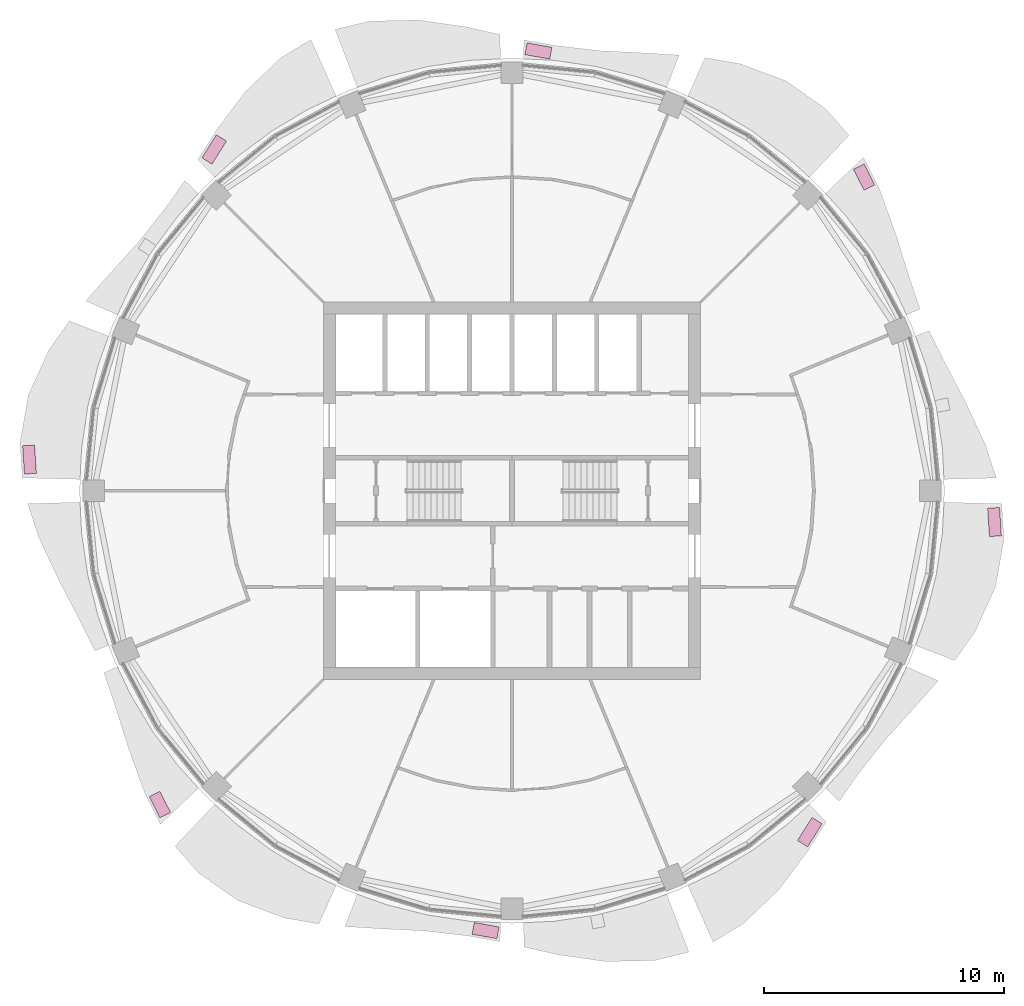
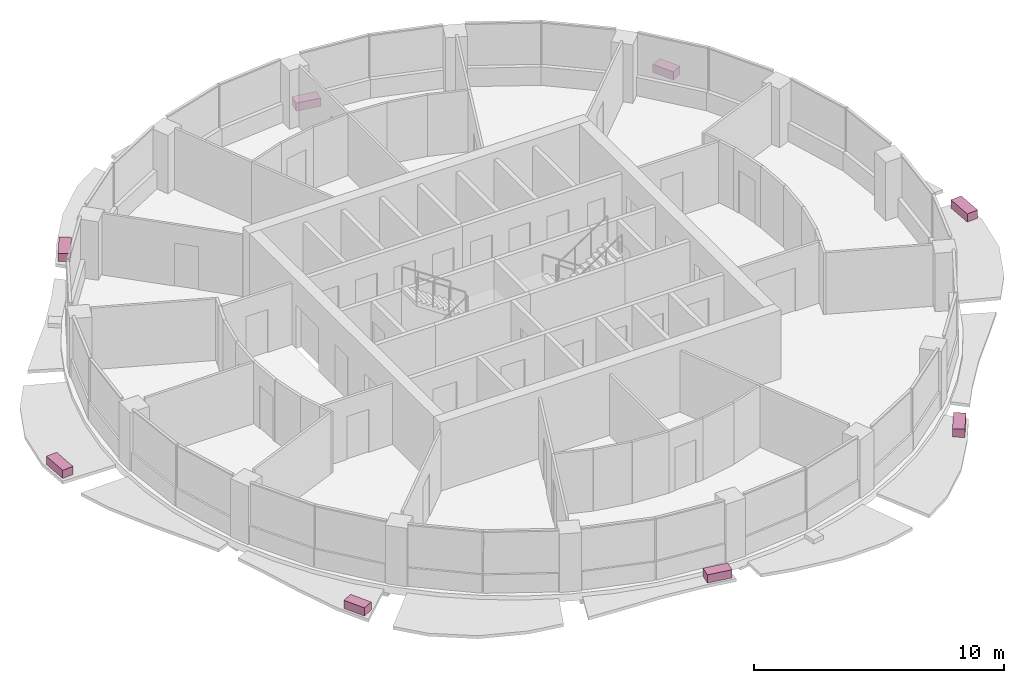
# One storey, part 15 of 15: 8 furniture elements.
"""IFC4 building model written with IfcOpenShell, lengths in metres."""

from ifc_helpers import new_model, si_unit, direction, frame, origin, origin_2d, place, context, subcontext, project, spatial, rectangle, extrude, material, type_object, element, save


model = new_model("IFC4")

# Units and contexts
model_context = context("Model", 3, precision=1e-05, world=origin(), true_north=direction((0.0, 1.0)))
body_context = subcontext(model_context, "Body", "Model", "MODEL_VIEW")
ifc_project = project(units=[si_unit("LENGTHUNIT", "METRE"), si_unit("AREAUNIT", "SQUARE_METRE"), si_unit("VOLUMEUNIT", "CUBIC_METRE"), si_unit("PLANEANGLEUNIT", "RADIAN"), si_unit("MASSUNIT", "GRAM", prefix="KILO")], contexts=[model_context])

# Site, building, storey
site_placement = place(None, origin())
site = spatial("IfcSite", under=ifc_project, at=site_placement, CompositionType="ELEMENT")
building_placement = place(site_placement, origin())
building = spatial("IfcBuilding", under=site, at=building_placement, Name="Polderwave Tower", CompositionType="ELEMENT")
storey_placement = place(building_placement, frame((0.0, 0.0, 191.0)))
storey = spatial("IfcBuildingStorey", under=building, at=storey_placement, Name="L51", CompositionType="ELEMENT", Elevation=191.0)

# Furniture
ifc_material = material(Name="Terracotta", Category="masonry")
furniture_type = type_object("IfcFurnitureType", Name="Terracotta planting trough", AssemblyPlace="NOTDEFINED", PredefinedType="USERDEFINED", material=ifc_material)
furniture_1_placement = place(storey_placement, frame((14.6923828125, 13.09326171875, -0.199951171875), z_axis=(0.0, 0.0, 1.0), x_axis=(-0.451315244022, 0.892364583852, 0.0)))
element("IfcFurniture", 1, at=furniture_1_placement, inside=storey, type_object=furniture_type, Name="Planting trough L51 2", ObjectType="PLANTER", PredefinedType="USERDEFINED", context=body_context, shape_type="SweptSolid", body=[
    extrude(rectangle(XDim=0.984130859375, YDim=0.5, at=origin_2d()), origin(), (0.0, 0.0, 1.0), 0.39990234375),
])
furniture_2_placement = place(storey_placement, frame((1.102783203125, 18.352783203125, -0.199951171875), z_axis=(0.0, 0.0, 1.0), x_axis=(-0.984591204528, 0.174871838685, 0.0)))
element("IfcFurniture", 2, at=furniture_2_placement, inside=storey, type_object=furniture_type, Name="Planting trough L51 4", ObjectType="PLANTER", PredefinedType="USERDEFINED", context=body_context, shape_type="SweptSolid", body=[
    extrude(rectangle(XDim=1.052734375, YDim=0.5, at=origin_2d()), origin(), (0.0, 0.0, 1.0), 0.39990234375),
])
furniture_3_placement = place(storey_placement, frame((-12.428466796875, 14.243896484375, -0.199951171875), z_axis=(0.0, 0.0, 1.0), x_axis=(-0.531243327395, -0.847219291033, 0.0)))
element("IfcFurniture", 3, at=furniture_3_placement, inside=storey, type_object=furniture_type, Name="Planting trough L51 6", ObjectType="PLANTER", PredefinedType="USERDEFINED", context=body_context, shape_type="SweptSolid", body=[
    extrude(rectangle(XDim=1.139404296875, YDim=0.5, at=origin_2d()), origin(), (0.0, 0.0, 1.0), 0.39990234375),
])
furniture_4_placement = place(storey_placement, frame((-20.134765625, 1.303955078125, -0.199951171875), z_axis=(0.0, 0.0, 1.0), x_axis=(0.064210092001, -0.997936402826, 0.0)))
element("IfcFurniture", 4, at=furniture_4_placement, inside=storey, type_object=furniture_type, Name="Planting trough L51 8", ObjectType="PLANTER", PredefinedType="USERDEFINED", context=body_context, shape_type="SweptSolid", body=[
    extrude(rectangle(XDim=1.184326171875, YDim=0.5, at=origin_2d()), origin(), (0.0, 0.0, 1.0), 0.39990234375),
])
furniture_5_placement = place(storey_placement, frame((-14.6923828125, -13.09326171875, -0.199951171875), z_axis=(0.0, 0.0, 1.0), x_axis=(0.451315244022, -0.892364583852, 0.0)))
element("IfcFurniture", 5, at=furniture_5_placement, inside=storey, type_object=furniture_type, Name="Planting trough L51 10", ObjectType="PLANTER", PredefinedType="USERDEFINED", context=body_context, shape_type="SweptSolid", body=[
    extrude(rectangle(XDim=0.984130859375, YDim=0.5, at=origin_2d()), origin(), (0.0, 0.0, 1.0), 0.39990234375),
])
furniture_6_placement = place(storey_placement, frame((-1.102783203125, -18.352783203125, -0.199951171875), z_axis=(0.0, 0.0, 1.0), x_axis=(0.984591204528, -0.174871838685, 0.0)))
element("IfcFurniture", 6, at=furniture_6_placement, inside=storey, type_object=furniture_type, Name="Planting trough L51 12", ObjectType="PLANTER", PredefinedType="USERDEFINED", context=body_context, shape_type="SweptSolid", body=[
    extrude(rectangle(XDim=1.052734375, YDim=0.5, at=origin_2d()), origin(), (0.0, 0.0, 1.0), 0.39990234375),
])
furniture_7_placement = place(storey_placement, frame((12.428466796875, -14.243896484375, -0.199951171875), z_axis=(0.0, 0.0, 1.0), x_axis=(0.531243327395, 0.847219291033, 0.0)))
element("IfcFurniture", 7, at=furniture_7_placement, inside=storey, type_object=furniture_type, Name="Planting trough L51 14", ObjectType="PLANTER", PredefinedType="USERDEFINED", context=body_context, shape_type="SweptSolid", body=[
    extrude(rectangle(XDim=1.139404296875, YDim=0.5, at=origin_2d()), origin(), (0.0, 0.0, 1.0), 0.39990234375),
])
furniture_8_placement = place(storey_placement, frame((20.134765625, -1.303955078125, -0.199951171875), z_axis=(0.0, 0.0, 1.0), x_axis=(-0.064210092001, 0.997936402826, 0.0)))
element("IfcFurniture", 8, at=furniture_8_placement, inside=storey, type_object=furniture_type, Name="Planting trough L51 16", ObjectType="PLANTER", PredefinedType="USERDEFINED", context=body_context, shape_type="SweptSolid", body=[
    extrude(rectangle(XDim=1.184326171875, YDim=0.5, at=origin_2d()), origin(), (0.0, 0.0, 1.0), 0.39990234375),
])

save(model, "model.ifc")
